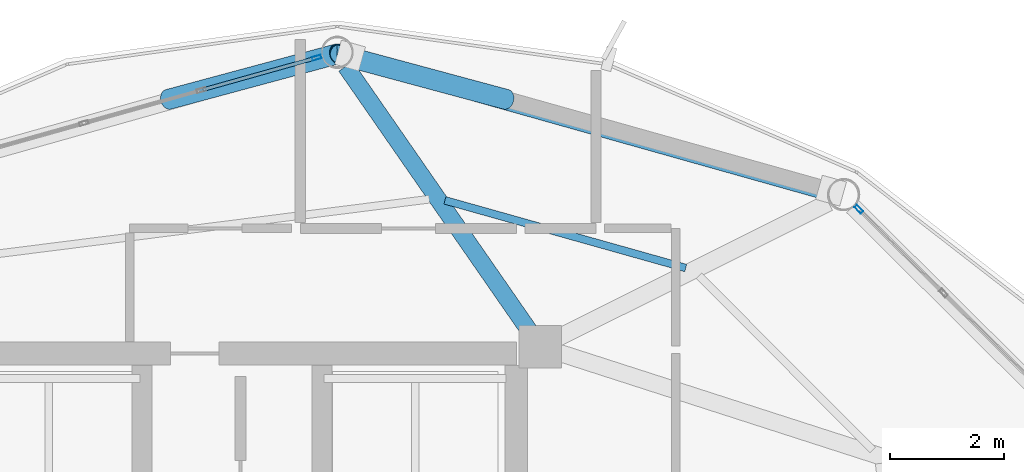
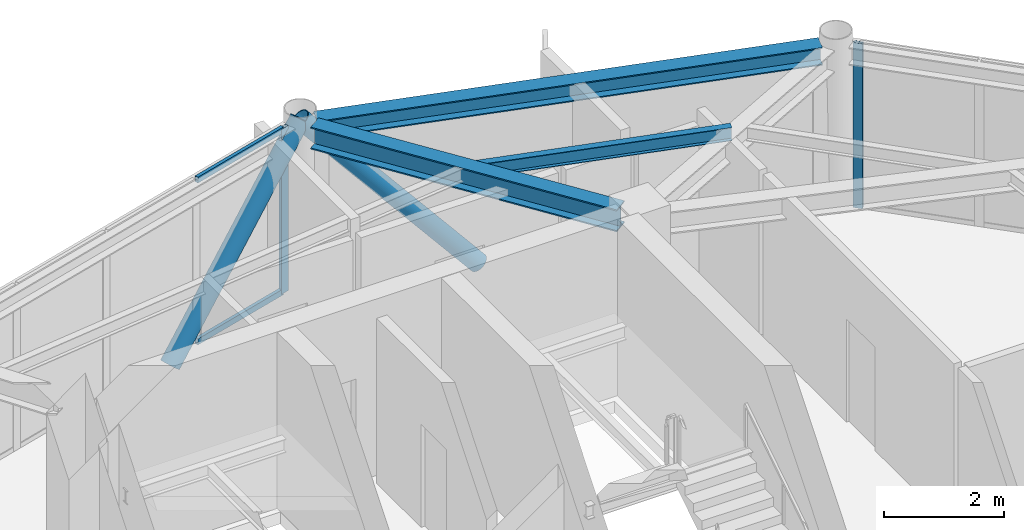
# One storey, part 17 of 25: 6 members, 3 beams, 2 elements without a shape of their own.
"""IFC4 building model written with IfcOpenShell, lengths in metres."""

from ifc_helpers import new_model, si_unit, direction, frame, origin, origin_2d, place, context, subcontext, project, spatial, hollow_rectangle, hollow_circle, i_section, extrude, material, layer, layer_set, material_profile, profile_set, type_object, element, aggregate, save


model = new_model("IFC4")

# Units and contexts
model_context = context("Model", 3, precision=1e-05, world=origin(), true_north=direction((0.0, 1.0)))
body_context = subcontext(model_context, "Body", "Model", "MODEL_VIEW")
ifc_project = project(units=[si_unit("LENGTHUNIT", "METRE"), si_unit("AREAUNIT", "SQUARE_METRE"), si_unit("VOLUMEUNIT", "CUBIC_METRE"), si_unit("PLANEANGLEUNIT", "RADIAN"), si_unit("MASSUNIT", "GRAM", prefix="KILO")], contexts=[model_context])

# Site, building, storey
site_placement = place(None, origin())
site = spatial("IfcSite", under=ifc_project, at=site_placement, CompositionType="ELEMENT")
building_placement = place(site_placement, origin())
building = spatial("IfcBuilding", under=site, at=building_placement, Name="Varnakorn Sky Granary", CompositionType="ELEMENT")
storey_placement = place(building_placement, frame((0.0, 0.0, 277.800048828125)))
storey = spatial("IfcBuildingStorey", under=building, at=storey_placement, Name="L71", CompositionType="ELEMENT", Elevation=277.800048828125)

# Beams
ifc_material_1 = material(Name="Steel S355JR", Category="steel")
ifc_material_profile_1 = material_profile(ifc_material_1, i_section(OverallWidth=0.300048828125, OverallDepth=0.449951171875, WebThickness=0.013916015625, FlangeThickness=0.02587890625, at=origin_2d()), Name="HE 450 B")
ifc_profile_set_1 = profile_set([ifc_material_profile_1], Name="Steel S355JR")
beam_type_1 = type_object("IfcBeamType", Name="BM-RAD-Z5", PredefinedType="BEAM", material=ifc_profile_set_1)
beam_1_placement = place(storey_placement, frame((8.2177734375, 12.91162109375, 3.135009765625), z_axis=(-0.569866460589, 0.821737316358, 0.0), x_axis=(-0.821737316358, -0.569866460589, 0.0)))
element("IfcBeam", 1, at=beam_1_placement, inside=storey, type_object=beam_type_1, Name="Radial Floor Girder RG04 L71", PredefinedType="BEAM", context=body_context, shape_type="SweptSolid", body=[
    extrude(i_section(OverallWidth=0.300048828125, OverallDepth=0.449951171875, WebThickness=0.013916015625, FlangeThickness=0.02587890625, at=origin_2d()), origin(), (0.0, 0.0, 1.0), 5.645263671875),
])
ifc_material_profile_2 = material_profile(ifc_material_1, i_section(OverallWidth=0.135009765625, OverallDepth=0.27001953125, WebThickness=0.006591796875, FlangeThickness=0.01025390625, at=origin_2d()), Name="IPE 270")
ifc_profile_set_2 = profile_set([ifc_material_profile_2], Name="Steel S355JR")
beam_type_2 = type_object("IfcBeamType", Name="BM-SEC-Z5", PredefinedType="BEAM", material=ifc_profile_set_2)
beam_2_placement = place(storey_placement, frame((10.978271484375, 14.00341796875, 3.224853515625), z_axis=(-0.962708785819, 0.270539819078, 0.0), x_axis=(-0.270539819078, -0.962708785819, 0.0)))
element("IfcBeam", 2, at=beam_2_placement, inside=storey, type_object=beam_type_2, Name="Secondary Floor Chord Beam MSB03 L71", PredefinedType="BEAM", context=body_context, shape_type="SweptSolid", body=[
    extrude(i_section(OverallWidth=0.135009765625, OverallDepth=0.27001953125, WebThickness=0.006591796875, FlangeThickness=0.01025390625, at=origin_2d()), origin(), (0.0, 0.0, 1.0), 4.3984375),
])
ifc_material_profile_3 = material_profile(ifc_material_1, i_section(OverallWidth=0.300048828125, OverallDepth=0.360107421875, WebThickness=0.012451171875, FlangeThickness=0.0224609375, at=origin_2d()), Name="HE 360 B")
ifc_profile_set_3 = profile_set([ifc_material_profile_3], Name="Steel S355JR")
beam_type_3 = type_object("IfcBeamType", Name="BM-SPD-Z5", PredefinedType="SPANDREL", material=ifc_profile_set_3)
beam_3_placement = place(storey_placement, frame((13.470458984375, 15.34228515625, 3.179931640625), z_axis=(-0.962618672341, 0.270860280699, 0.0), x_axis=(-0.270860280699, -0.962618672341, 0.0)))
element("IfcBeam", 3, at=beam_3_placement, inside=storey, type_object=beam_type_3, Name="Perimeter Spandrel Ring Beam RB03 L71", PredefinedType="SPANDREL", context=body_context, shape_type="SweptSolid", body=[
    extrude(i_section(OverallWidth=0.300048828125, OverallDepth=0.360107421875, WebThickness=0.012451171875, FlangeThickness=0.0224609375, at=origin_2d()), origin(), (0.0, 0.0, 1.0), 8.69091796875),
])

# Curtain wall, member
ifc_material_2 = material(Name="Anodised Bronze Aluminium Alloy 6063-T6", Category="aluminium")
ifc_layer = layer(ifc_material_2, 0.159912109375, Name="Anodised Bronze Aluminium Alloy 6063-T6")
ifc_layer_set = layer_set([ifc_layer], Name="Anodised Bronze Aluminium Alloy 6063-T6")
curtain_wall_type = type_object("IfcCurtainWallType", Name="CW-OFF-1", PredefinedType="USERDEFINED", material=ifc_layer_set)
curtain_wall_1_placement = place(storey_placement, origin())
curtain_wall_1 = element("IfcCurtainWall", 4, at=curtain_wall_1_placement, inside=storey, type_object=curtain_wall_type, Name="Unitised Curtain Wall CW6 CW-L71-B02", ObjectType="CURTAIN WALL", PredefinedType="USERDEFINED")
ifc_material_profile_4 = material_profile(ifc_material_2, hollow_rectangle(XDim=0.06494140625, YDim=0.159912109375, WallThickness=0.00341796875, at=origin_2d()), Name="ALU MULL 65x160")
ifc_profile_set_4 = profile_set([ifc_material_profile_4], Name="Anodised Bronze Aluminium Alloy 6063-T6")
member_type_1 = type_object("IfcMemberType", Name="CW-OFF-1-MULL", PredefinedType="MULLION", material=ifc_profile_set_4)
member_1_placement = place(storey_placement, frame((14.023193359375, 15.038330078125, 0.0), z_axis=(0.0, 0.0, 1.0), x_axis=(0.704102293926, 0.71009855632, 0.0)))
member_1 = element("IfcMember", 5, at=member_1_placement, type_object=member_type_1, Name="CW6 mullion 1", PredefinedType="MULLION", context=body_context, shape_type="SweptSolid", body=[
    extrude(hollow_rectangle(XDim=0.06494140625, YDim=0.159912109375, WallThickness=0.00341796875, at=origin_2d()), origin(), (0.0, 0.0, 1.0), 3.35986328125),
])
aggregate(curtain_wall_1, [member_1])

# Curtain wall, members
curtain_wall_2_placement = place(storey_placement, origin())
curtain_wall_2 = element("IfcCurtainWall", 6, at=curtain_wall_2_placement, inside=storey, type_object=curtain_wall_type, Name="Unitised Curtain Wall CW6 CW-L71-B04", ObjectType="CURTAIN WALL", PredefinedType="USERDEFINED")
member_2_placement = place(storey_placement, frame((4.49169921875, 17.701416015625, 0.0), z_axis=(0.0, 0.0, 1.0), x_axis=(-0.270369994564, 0.962756493637, 0.0)))
member_2 = element("IfcMember", 7, at=member_2_placement, type_object=member_type_1, Name="CW6 mullion 5", PredefinedType="MULLION", context=body_context, shape_type="SweptSolid", body=[
    extrude(hollow_rectangle(XDim=0.06494140625, YDim=0.159912109375, WallThickness=0.00341796875, at=origin_2d()), origin(), (0.0, 0.0, 1.0), 3.35986328125),
])
ifc_material_profile_5 = material_profile(ifc_material_2, hollow_rectangle(XDim=0.06494140625, YDim=0.1201171875, WallThickness=0.00341796875, at=origin_2d()), Name="ALU TRAN 65x120")
ifc_profile_set_5 = profile_set([ifc_material_profile_5], Name="Anodised Bronze Aluminium Alloy 6063-T6")
member_type_2 = type_object("IfcMemberType", Name="CW-OFF-1-TRAN", PredefinedType="USERDEFINED", material=ifc_profile_set_5)
member_3_placement = place(storey_placement, frame((2.490478515625, 17.139404296875, 0.032470703125), z_axis=(0.96275679273, 0.270368929524, 0.0), x_axis=(-0.270368929524, 0.96275679273, 0.0)))
member_3 = element("IfcMember", 8, at=member_3_placement, type_object=member_type_2, Name="CW6 transom 4.1", ObjectType="TRANSOM", PredefinedType="USERDEFINED", context=body_context, shape_type="SweptSolid", body=[
    extrude(hollow_rectangle(XDim=0.06494140625, YDim=0.1201171875, WallThickness=0.00341796875, at=origin_2d()), origin(), (0.0, 0.0, 1.0), 2.046142578125),
])
member_4_placement = place(storey_placement, frame((2.490478515625, 17.139404296875, 3.327392578125), z_axis=(0.96275679273, 0.270368929524, 0.0), x_axis=(-0.270368929524, 0.96275679273, 0.0)))
member_4 = element("IfcMember", 9, at=member_4_placement, type_object=member_type_2, Name="CW6 transom 4.2", ObjectType="TRANSOM", PredefinedType="USERDEFINED", context=body_context, shape_type="SweptSolid", body=[
    extrude(hollow_rectangle(XDim=0.06494140625, YDim=0.1201171875, WallThickness=0.00341796875, at=origin_2d()), origin(), (0.0, 0.0, 1.0), 2.046142578125),
])
aggregate(curtain_wall_2, [member_2, member_3, member_4])

# Members
ifc_material_3 = material(Name="Steel S460M", Category="steel")
ifc_material_profile_6 = material_profile(ifc_material_3, hollow_circle(Radius=0.177734375, WallThickness=0.01416015625, at=origin_2d()), Name="CHS 355.6x14")
ifc_profile_set_6 = profile_set([ifc_material_profile_6], Name="Steel S460M")
member_type_3 = type_object("IfcMemberType", Name="MB-DIAG-T5", PredefinedType="BRACE", material=ifc_profile_set_6)
member_5_placement = place(storey_placement, frame((7.819580078125, 16.968017578125, -0.130126953125), z_axis=(-0.638370551746, 0.171992131717, 0.750267782389), x_axis=(-0.260147132435, -0.96556898743, 0.0)))
element("IfcMember", 10, at=member_5_placement, inside=storey, type_object=member_type_3, Name="Perimeter CHS Diagrid Brace DG03 L71", PredefinedType="BRACE", context=body_context, shape_type="SweptSolid", body=[
    extrude(hollow_circle(Radius=0.177734375, WallThickness=0.01416015625, at=origin_2d()), origin(), (0.0, 0.0, 1.0), 4.651611328125),
])
member_6_placement = place(storey_placement, frame((1.88037109375, 16.968017578125, -0.130126953125), z_axis=(0.638401646436, 0.171986369235, 0.750242645166), x_axis=(-0.260127192999, 0.965574359365, 0.0)))
element("IfcMember", 11, at=member_6_placement, inside=storey, type_object=member_type_3, Name="Perimeter CHS Diagrid Brace DG04 L71", PredefinedType="BRACE", context=body_context, shape_type="SweptSolid", body=[
    extrude(hollow_circle(Radius=0.177734375, WallThickness=0.01416015625, at=origin_2d()), origin(), (0.0, 0.0, 1.0), 4.65185546875),
])

save(model, "model.ifc")
